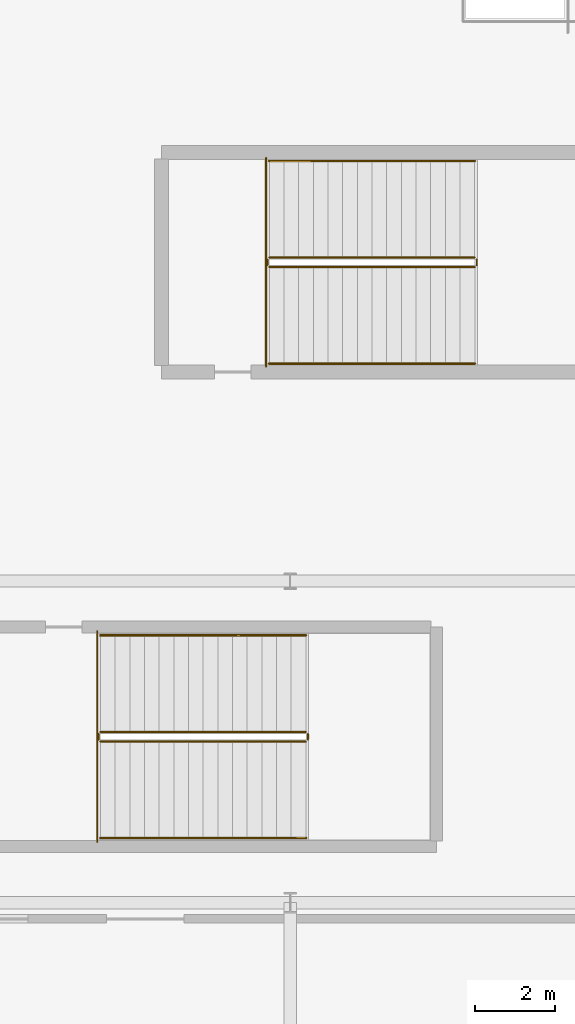
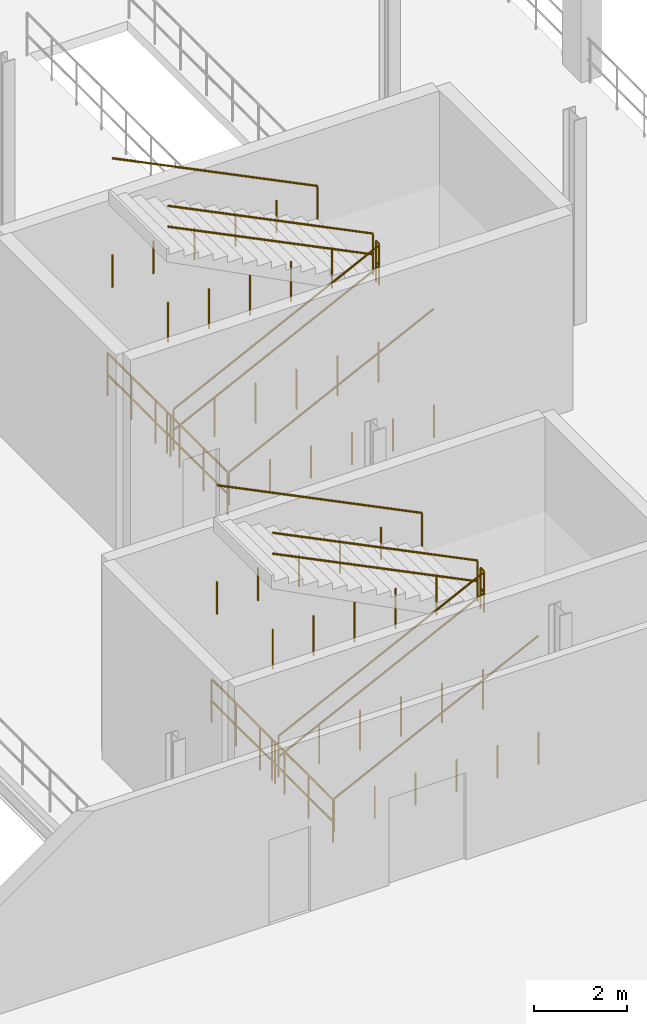
# One storey, part 122 of 129: 14 railings.
"""IFC4 building model written with IfcOpenShell, lengths in metres."""

from ifc_helpers import new_model, si_unit, direction, frame, origin, origin_2d, place, context, subcontext, project, spatial, circle, extrude, material, type_object, element, save


model = new_model("IFC4")

# Units and contexts
model_context = context("Model", 3, precision=1e-05, world=origin(), true_north=direction((0.0, 1.0)))
body_context = subcontext(model_context, "Body", "Model", "MODEL_VIEW")
ifc_project = project(units=[si_unit("LENGTHUNIT", "METRE"), si_unit("AREAUNIT", "SQUARE_METRE"), si_unit("VOLUMEUNIT", "CUBIC_METRE"), si_unit("PLANEANGLEUNIT", "RADIAN"), si_unit("MASSUNIT", "GRAM", prefix="KILO")], contexts=[model_context])

# Site, building, storey
site_placement = place(None, origin())
site = spatial("IfcSite", under=ifc_project, at=site_placement, CompositionType="ELEMENT")
building_placement = place(site_placement, origin())
building = spatial("IfcBuilding", under=site, at=building_placement, Name="Danafjord Basin Convention Centre", CompositionType="ELEMENT")
storey_placement = place(building_placement, frame((0.0, 0.0, 6.0)))
storey = spatial("IfcBuildingStorey", under=building, at=storey_placement, Name="L01", CompositionType="ELEMENT", Elevation=6.0)

# Railings
ifc_material_1 = material(Name="Laminated structural glass and stainless steel", Category="steel")
railing_type_1 = type_object("IfcRailingType", Name="RL-BAL-GLS", PredefinedType="BALUSTRADE", material=ifc_material_1)
railing_1_placement = place(storey_placement, frame((201.0, 58.52490234375, 0.0)))
element("IfcRailing", 1, at=railing_1_placement, inside=storey, type_object=railing_type_1, Name="L01 safety guard balustrade 62", PredefinedType="BALUSTRADE", context=body_context, shape_type="SweptSolid", body=[
    extrude(circle(Radius=0.02392578125, at=origin_2d()), frame((0.0, 0.0, 1.1259765625), z_axis=(0.0, -1.0, 0.0), x_axis=(1.0, 0.0, 0.0)), (0.0, 0.0, 1.0), 5.18994140625),
    extrude(circle(Radius=0.02392578125, at=origin_2d()), frame((0.0, 0.0, 0.55078125), z_axis=(0.0, -1.0, 0.0), x_axis=(1.0, 0.0, 0.0)), (0.0, 0.0, 1.0), 5.18994140625),
    extrude(circle(Radius=0.02099609375, at=origin_2d()), origin(), (0.0, 0.0, 1.0), 1.099853515625),
    extrude(circle(Radius=0.02099609375, at=origin_2d()), frame((0.0, -1.0380859375, 0.0)), (0.0, 0.0, 1.0), 1.099853515625),
    extrude(circle(Radius=0.02099609375, at=origin_2d()), frame((0.0, -2.075927734375, 0.0)), (0.0, 0.0, 1.0), 1.099853515625),
    extrude(circle(Radius=0.02099609375, at=origin_2d()), frame((0.0, -3.114013671875, 0.0)), (0.0, 0.0, 1.0), 1.099853515625),
    extrude(circle(Radius=0.02099609375, at=origin_2d()), frame((0.0, -4.15185546875, 0.0)), (0.0, 0.0, 1.0), 1.099853515625),
    extrude(circle(Radius=0.02099609375, at=origin_2d()), frame((0.0, -5.18994140625, 0.0)), (0.0, 0.0, 1.0), 1.099853515625),
])
railing_2_placement = place(storey_placement, frame((196.800048828125, 46.75, 0.0)))
element("IfcRailing", 2, at=railing_2_placement, inside=storey, type_object=railing_type_1, Name="L01 safety guard balustrade 68", PredefinedType="BALUSTRADE", context=body_context, shape_type="SweptSolid", body=[
    extrude(circle(Radius=0.02392578125, at=origin_2d()), frame((0.0, 0.0, 1.1259765625), z_axis=(0.0, -1.0, 0.0), x_axis=(1.0, 0.0, 0.0)), (0.0, 0.0, 1.0), 5.239990234375),
    extrude(circle(Radius=0.02392578125, at=origin_2d()), frame((0.0, 0.0, 0.55078125), z_axis=(0.0, -1.0, 0.0), x_axis=(1.0, 0.0, 0.0)), (0.0, 0.0, 1.0), 5.239990234375),
    extrude(circle(Radius=0.02099609375, at=origin_2d()), origin(), (0.0, 0.0, 1.0), 1.099853515625),
    extrude(circle(Radius=0.02099609375, at=origin_2d()), frame((0.0, -1.048095703125, 0.0)), (0.0, 0.0, 1.0), 1.099853515625),
    extrude(circle(Radius=0.02099609375, at=origin_2d()), frame((0.0, -2.095947265625, 0.0)), (0.0, 0.0, 1.0), 1.099853515625),
    extrude(circle(Radius=0.02099609375, at=origin_2d()), frame((0.0, -3.14404296875, 0.0)), (0.0, 0.0, 1.0), 1.099853515625),
    extrude(circle(Radius=0.02099609375, at=origin_2d()), frame((0.0, -4.19189453125, 0.0)), (0.0, 0.0, 1.0), 1.099853515625),
    extrude(circle(Radius=0.02099609375, at=origin_2d()), frame((0.0, -5.239990234375, 0.0)), (0.0, 0.0, 1.0), 1.099853515625),
])
ifc_material_2 = material(Name="Galvanised steel S355", Category="steel")
railing_type_2 = type_object("IfcRailingType", Name="RL-GD-WELL", PredefinedType="BALUSTRADE", material=ifc_material_2)
railing_3_placement = place(storey_placement, frame((201.080078125, 55.81005859375, 0.179931640625)))
element("IfcRailing", 3, at=railing_3_placement, inside=storey, type_object=railing_type_2, Name="L01 ST-13 stair guard 1", PredefinedType="BALUSTRADE", context=body_context, shape_type="SweptSolid", body=[
    extrude(circle(Radius=0.02392578125, at=origin_2d()), frame((0.0, 0.0, 1.076171875), z_axis=(0.89686481642, 0.0, 0.442304760396), x_axis=(0.0, 1.0, 0.0)), (0.0, 0.0, 1.0), 5.697509765625),
    extrude(circle(Radius=0.02392578125, at=origin_2d()), frame((0.0, 0.0, 0.52587890625), z_axis=(0.89686481642, 0.0, 0.442304760396), x_axis=(0.0, 1.0, 0.0)), (0.0, 0.0, 1.0), 5.697509765625),
    extrude(circle(Radius=0.02099609375, at=origin_2d()), origin(), (0.0, 0.0, 1.0), 1.050048828125),
    extrude(circle(Radius=0.02099609375, at=origin_2d()), frame((1.02197265625, 0.0, 0.0)), (0.0, 0.0, 1.0), 1.050048828125),
    extrude(circle(Radius=0.02099609375, at=origin_2d()), frame((2.0439453125, 0.0, 0.0)), (0.0, 0.0, 1.0), 1.050048828125),
    extrude(circle(Radius=0.02099609375, at=origin_2d()), frame((3.06591796875, 0.0, 0.0)), (0.0, 0.0, 1.0), 1.050048828125),
    extrude(circle(Radius=0.02099609375, at=origin_2d()), frame((4.087890625, 0.0, 0.0)), (0.0, 0.0, 1.0), 1.050048828125),
    extrude(circle(Radius=0.02099609375, at=origin_2d()), frame((5.10986328125, 0.0, 0.0)), (0.0, 0.0, 1.0), 1.050048828125),
])
railing_4_placement = place(storey_placement, frame((206.239990234375, 55.860107421875, 2.699951171875)))
element("IfcRailing", 4, at=railing_4_placement, inside=storey, type_object=railing_type_2, Name="L01 ST-13 stair guard 2", PredefinedType="BALUSTRADE", context=body_context, shape_type="SweptSolid", body=[
    extrude(circle(Radius=0.02392578125, at=origin_2d()), frame((0.0, 0.0, 1.076171875), z_axis=(0.0, 1.0, 0.0), x_axis=(-1.0, 0.0, 0.0)), (0.0, 0.0, 1.0), 0.139892578125),
    extrude(circle(Radius=0.02392578125, at=origin_2d()), frame((0.0, 0.0, 0.52587890625), z_axis=(0.0, 1.0, 0.0), x_axis=(-1.0, 0.0, 0.0)), (0.0, 0.0, 1.0), 0.139892578125),
    extrude(circle(Radius=0.02099609375, at=origin_2d()), origin(), (0.0, 0.0, 1.0), 1.050048828125),
    extrude(circle(Radius=0.02099609375, at=origin_2d()), frame((0.0, 0.139892578125, 0.0)), (0.0, 0.0, 1.0), 1.050048828125),
])
railing_5_placement = place(storey_placement, frame((206.18994140625, 56.050048828125, 2.8798828125)))
element("IfcRailing", 5, at=railing_5_placement, inside=storey, type_object=railing_type_2, Name="L01 ST-13 stair guard 3", PredefinedType="BALUSTRADE", context=body_context, shape_type="SweptSolid", body=[
    extrude(circle(Radius=0.02392578125, at=origin_2d()), frame((0.0, 0.0, 1.076171875), z_axis=(-0.89686481642, 0.0, 0.442304760396), x_axis=(0.0, -1.0, 0.0)), (0.0, 0.0, 1.0), 5.697509765625),
    extrude(circle(Radius=0.02392578125, at=origin_2d()), frame((0.0, 0.0, 0.52587890625), z_axis=(-0.89686481642, 0.0, 0.442304760396), x_axis=(0.0, -1.0, 0.0)), (0.0, 0.0, 1.0), 5.697509765625),
    extrude(circle(Radius=0.02099609375, at=origin_2d()), origin(), (0.0, 0.0, 1.0), 1.050048828125),
    extrude(circle(Radius=0.02099609375, at=origin_2d()), frame((-1.02197265625, 0.0, 0.0)), (0.0, 0.0, 1.0), 1.050048828125),
    extrude(circle(Radius=0.02099609375, at=origin_2d()), frame((-2.0439453125, 0.0, 0.0)), (0.0, 0.0, 1.0), 1.050048828125),
    extrude(circle(Radius=0.02099609375, at=origin_2d()), frame((-3.06591796875, 0.0, 0.0)), (0.0, 0.0, 1.0), 1.050048828125),
    extrude(circle(Radius=0.02099609375, at=origin_2d()), frame((-4.087890625, 0.0, 0.0)), (0.0, 0.0, 1.0), 1.050048828125),
    extrude(circle(Radius=0.02099609375, at=origin_2d()), frame((-5.10986328125, 0.0, 0.0)), (0.0, 0.0, 1.0), 1.050048828125),
])
railing_6_placement = place(storey_placement, frame((201.030029296875, 55.860107421875, 0.0)))
element("IfcRailing", 6, at=railing_6_placement, inside=storey, type_object=railing_type_2, Name="L01 ST-13 stair guard 4", PredefinedType="BALUSTRADE", context=body_context, shape_type="SweptSolid", body=[
    extrude(circle(Radius=0.02392578125, at=origin_2d()), frame((0.0, 0.0, 1.076171875), z_axis=(0.0, 1.0, 0.0), x_axis=(-1.0, 0.0, 0.0)), (0.0, 0.0, 1.0), 0.139892578125),
    extrude(circle(Radius=0.02392578125, at=origin_2d()), frame((0.0, 0.0, 0.52587890625), z_axis=(0.0, 1.0, 0.0), x_axis=(-1.0, 0.0, 0.0)), (0.0, 0.0, 1.0), 0.139892578125),
    extrude(circle(Radius=0.02099609375, at=origin_2d()), origin(), (0.0, 0.0, 1.0), 1.050048828125),
    extrude(circle(Radius=0.02099609375, at=origin_2d()), frame((0.0, 0.139892578125, 0.0)), (0.0, 0.0, 1.0), 1.050048828125),
])
railing_7_placement = place(storey_placement, frame((196.8798828125, 44.010009765625, 0.179931640625)))
element("IfcRailing", 7, at=railing_7_placement, inside=storey, type_object=railing_type_2, Name="L01 ST-14 stair guard 1", PredefinedType="BALUSTRADE", context=body_context, shape_type="SweptSolid", body=[
    extrude(circle(Radius=0.02392578125, at=origin_2d()), frame((0.0, 0.0, 1.076171875), z_axis=(0.896873198966, 0.0, 0.442287762635), x_axis=(0.0, 1.0, 0.0)), (0.0, 0.0, 1.0), 5.69775390625),
    extrude(circle(Radius=0.02392578125, at=origin_2d()), frame((0.0, 0.0, 0.52587890625), z_axis=(0.896873198966, 0.0, 0.442287762635), x_axis=(0.0, 1.0, 0.0)), (0.0, 0.0, 1.0), 5.69775390625),
    extrude(circle(Radius=0.02099609375, at=origin_2d()), origin(), (0.0, 0.0, 1.0), 1.050048828125),
    extrude(circle(Radius=0.02099609375, at=origin_2d()), frame((1.02197265625, 0.0, 0.0)), (0.0, 0.0, 1.0), 1.050048828125),
    extrude(circle(Radius=0.02099609375, at=origin_2d()), frame((2.0439453125, 0.0, 0.0)), (0.0, 0.0, 1.0), 1.050048828125),
    extrude(circle(Radius=0.02099609375, at=origin_2d()), frame((3.066162109375, 0.0, 0.0)), (0.0, 0.0, 1.0), 1.050048828125),
    extrude(circle(Radius=0.02099609375, at=origin_2d()), frame((4.088134765625, 0.0, 0.0)), (0.0, 0.0, 1.0), 1.050048828125),
    extrude(circle(Radius=0.02099609375, at=origin_2d()), frame((5.110107421875, 0.0, 0.0)), (0.0, 0.0, 1.0), 1.050048828125),
])
railing_8_placement = place(storey_placement, frame((202.0400390625, 44.06005859375, 2.699951171875)))
element("IfcRailing", 8, at=railing_8_placement, inside=storey, type_object=railing_type_2, Name="L01 ST-14 stair guard 2", PredefinedType="BALUSTRADE", context=body_context, shape_type="SweptSolid", body=[
    extrude(circle(Radius=0.02392578125, at=origin_2d()), frame((0.0, 0.0, 1.076171875), z_axis=(0.0, 1.0, 0.0), x_axis=(-1.0, 0.0, 0.0)), (0.0, 0.0, 1.0), 0.139892578125),
    extrude(circle(Radius=0.02392578125, at=origin_2d()), frame((0.0, 0.0, 0.52587890625), z_axis=(0.0, 1.0, 0.0), x_axis=(-1.0, 0.0, 0.0)), (0.0, 0.0, 1.0), 0.139892578125),
    extrude(circle(Radius=0.02099609375, at=origin_2d()), origin(), (0.0, 0.0, 1.0), 1.050048828125),
    extrude(circle(Radius=0.02099609375, at=origin_2d()), frame((0.0, 0.139892578125, 0.0)), (0.0, 0.0, 1.0), 1.050048828125),
])
railing_9_placement = place(storey_placement, frame((201.989990234375, 44.25, 2.8798828125)))
element("IfcRailing", 9, at=railing_9_placement, inside=storey, type_object=railing_type_2, Name="L01 ST-14 stair guard 3", PredefinedType="BALUSTRADE", context=body_context, shape_type="SweptSolid", body=[
    extrude(circle(Radius=0.02392578125, at=origin_2d()), frame((0.0, 0.0, 1.076171875), z_axis=(-0.896873198966, 0.0, 0.442287762635), x_axis=(0.0, -1.0, 0.0)), (0.0, 0.0, 1.0), 5.69775390625),
    extrude(circle(Radius=0.02392578125, at=origin_2d()), frame((0.0, 0.0, 0.52587890625), z_axis=(-0.896873198966, 0.0, 0.442287762635), x_axis=(0.0, -1.0, 0.0)), (0.0, 0.0, 1.0), 5.69775390625),
    extrude(circle(Radius=0.02099609375, at=origin_2d()), origin(), (0.0, 0.0, 1.0), 1.050048828125),
    extrude(circle(Radius=0.02099609375, at=origin_2d()), frame((-1.02197265625, 0.0, 0.0)), (0.0, 0.0, 1.0), 1.050048828125),
    extrude(circle(Radius=0.02099609375, at=origin_2d()), frame((-2.0439453125, 0.0, 0.0)), (0.0, 0.0, 1.0), 1.050048828125),
    extrude(circle(Radius=0.02099609375, at=origin_2d()), frame((-3.066162109375, 0.0, 0.0)), (0.0, 0.0, 1.0), 1.050048828125),
    extrude(circle(Radius=0.02099609375, at=origin_2d()), frame((-4.088134765625, 0.0, 0.0)), (0.0, 0.0, 1.0), 1.050048828125),
    extrude(circle(Radius=0.02099609375, at=origin_2d()), frame((-5.110107421875, 0.0, 0.0)), (0.0, 0.0, 1.0), 1.050048828125),
])
railing_10_placement = place(storey_placement, frame((196.830078125, 44.06005859375, 0.0)))
element("IfcRailing", 10, at=railing_10_placement, inside=storey, type_object=railing_type_2, Name="L01 ST-14 stair guard 4", PredefinedType="BALUSTRADE", context=body_context, shape_type="SweptSolid", body=[
    extrude(circle(Radius=0.02392578125, at=origin_2d()), frame((0.0, 0.0, 1.076171875), z_axis=(0.0, 1.0, 0.0), x_axis=(-1.0, 0.0, 0.0)), (0.0, 0.0, 1.0), 0.139892578125),
    extrude(circle(Radius=0.02392578125, at=origin_2d()), frame((0.0, 0.0, 0.52587890625), z_axis=(0.0, 1.0, 0.0), x_axis=(-1.0, 0.0, 0.0)), (0.0, 0.0, 1.0), 0.139892578125),
    extrude(circle(Radius=0.02099609375, at=origin_2d()), origin(), (0.0, 0.0, 1.0), 1.050048828125),
    extrude(circle(Radius=0.02099609375, at=origin_2d()), frame((0.0, 0.139892578125, 0.0)), (0.0, 0.0, 1.0), 1.050048828125),
])
ifc_material_3 = material(Name="Brushed stainless steel EN 1.4404", Category="steel")
railing_type_3 = type_object("IfcRailingType", Name="RL-HR-STAIR", PredefinedType="HANDRAIL", material=ifc_material_3)
railing_11_placement = place(storey_placement, frame((201.080078125, 53.409912109375, 0.179931640625)))
element("IfcRailing", 11, at=railing_11_placement, inside=storey, type_object=railing_type_3, Name="L01 ST-13 stair handrail 1", PredefinedType="HANDRAIL", context=body_context, shape_type="SweptSolid", body=[
    extrude(circle(Radius=0.02392578125, at=origin_2d()), frame((0.0, 0.0, 0.8759765625), z_axis=(0.89686481642, 0.0, 0.442304760396), x_axis=(0.0, 1.0, 0.0)), (0.0, 0.0, 1.0), 5.697509765625),
    extrude(circle(Radius=0.02099609375, at=origin_2d()), origin(), (0.0, 0.0, 1.0), 0.849853515625),
    extrude(circle(Radius=0.02099609375, at=origin_2d()), frame((1.02197265625, 0.0, 0.0)), (0.0, 0.0, 1.0), 0.849853515625),
    extrude(circle(Radius=0.02099609375, at=origin_2d()), frame((2.0439453125, 0.0, 0.0)), (0.0, 0.0, 1.0), 0.849853515625),
    extrude(circle(Radius=0.02099609375, at=origin_2d()), frame((3.06591796875, 0.0, 0.0)), (0.0, 0.0, 1.0), 0.849853515625),
    extrude(circle(Radius=0.02099609375, at=origin_2d()), frame((4.087890625, 0.0, 0.0)), (0.0, 0.0, 1.0), 0.849853515625),
    extrude(circle(Radius=0.02099609375, at=origin_2d()), frame((5.10986328125, 0.0, 0.0)), (0.0, 0.0, 1.0), 0.849853515625),
])
railing_12_placement = place(storey_placement, frame((206.18994140625, 58.449951171875, 2.8798828125)))
element("IfcRailing", 12, at=railing_12_placement, inside=storey, type_object=railing_type_3, Name="L01 ST-13 stair handrail 2", PredefinedType="HANDRAIL", context=body_context, shape_type="SweptSolid", body=[
    extrude(circle(Radius=0.02392578125, at=origin_2d()), frame((0.0, 0.0, 0.8759765625), z_axis=(-0.89686481642, 0.0, 0.442304760396), x_axis=(0.0, -1.0, 0.0)), (0.0, 0.0, 1.0), 5.697509765625),
    extrude(circle(Radius=0.02099609375, at=origin_2d()), origin(), (0.0, 0.0, 1.0), 0.849853515625),
    extrude(circle(Radius=0.02099609375, at=origin_2d()), frame((-1.02197265625, 0.0, 0.0)), (0.0, 0.0, 1.0), 0.849853515625),
    extrude(circle(Radius=0.02099609375, at=origin_2d()), frame((-2.0439453125, 0.0, 0.0)), (0.0, 0.0, 1.0), 0.849853515625),
    extrude(circle(Radius=0.02099609375, at=origin_2d()), frame((-3.06591796875, 0.0, 0.0)), (0.0, 0.0, 1.0), 0.849853515625),
    extrude(circle(Radius=0.02099609375, at=origin_2d()), frame((-4.087890625, 0.0, 0.0)), (0.0, 0.0, 1.0), 0.849853515625),
    extrude(circle(Radius=0.02099609375, at=origin_2d()), frame((-5.10986328125, 0.0, 0.0)), (0.0, 0.0, 1.0), 0.849853515625),
])
railing_13_placement = place(storey_placement, frame((196.8798828125, 41.610107421875, 0.179931640625)))
element("IfcRailing", 13, at=railing_13_placement, inside=storey, type_object=railing_type_3, Name="L01 ST-14 stair handrail 1", PredefinedType="HANDRAIL", context=body_context, shape_type="SweptSolid", body=[
    extrude(circle(Radius=0.02392578125, at=origin_2d()), frame((0.0, 0.0, 0.8759765625), z_axis=(0.896873198966, 0.0, 0.442287762635), x_axis=(0.0, 1.0, 0.0)), (0.0, 0.0, 1.0), 5.69775390625),
    extrude(circle(Radius=0.02099609375, at=origin_2d()), origin(), (0.0, 0.0, 1.0), 0.849853515625),
    extrude(circle(Radius=0.02099609375, at=origin_2d()), frame((1.02197265625, 0.0, 0.0)), (0.0, 0.0, 1.0), 0.849853515625),
    extrude(circle(Radius=0.02099609375, at=origin_2d()), frame((2.0439453125, 0.0, 0.0)), (0.0, 0.0, 1.0), 0.849853515625),
    extrude(circle(Radius=0.02099609375, at=origin_2d()), frame((3.066162109375, 0.0, 0.0)), (0.0, 0.0, 1.0), 0.849853515625),
    extrude(circle(Radius=0.02099609375, at=origin_2d()), frame((4.088134765625, 0.0, 0.0)), (0.0, 0.0, 1.0), 0.849853515625),
    extrude(circle(Radius=0.02099609375, at=origin_2d()), frame((5.110107421875, 0.0, 0.0)), (0.0, 0.0, 1.0), 0.849853515625),
])
railing_14_placement = place(storey_placement, frame((201.989990234375, 46.64990234375, 2.8798828125)))
element("IfcRailing", 14, at=railing_14_placement, inside=storey, type_object=railing_type_3, Name="L01 ST-14 stair handrail 2", PredefinedType="HANDRAIL", context=body_context, shape_type="SweptSolid", body=[
    extrude(circle(Radius=0.02392578125, at=origin_2d()), frame((0.0, 0.0, 0.8759765625), z_axis=(-0.896873198966, 0.0, 0.442287762635), x_axis=(0.0, -1.0, 0.0)), (0.0, 0.0, 1.0), 5.69775390625),
    extrude(circle(Radius=0.02099609375, at=origin_2d()), origin(), (0.0, 0.0, 1.0), 0.849853515625),
    extrude(circle(Radius=0.02099609375, at=origin_2d()), frame((-1.02197265625, 0.0, 0.0)), (0.0, 0.0, 1.0), 0.849853515625),
    extrude(circle(Radius=0.02099609375, at=origin_2d()), frame((-2.0439453125, 0.0, 0.0)), (0.0, 0.0, 1.0), 0.849853515625),
    extrude(circle(Radius=0.02099609375, at=origin_2d()), frame((-3.066162109375, 0.0, 0.0)), (0.0, 0.0, 1.0), 0.849853515625),
    extrude(circle(Radius=0.02099609375, at=origin_2d()), frame((-4.088134765625, 0.0, 0.0)), (0.0, 0.0, 1.0), 0.849853515625),
    extrude(circle(Radius=0.02099609375, at=origin_2d()), frame((-5.110107421875, 0.0, 0.0)), (0.0, 0.0, 1.0), 0.849853515625),
])

save(model, "model.ifc")
